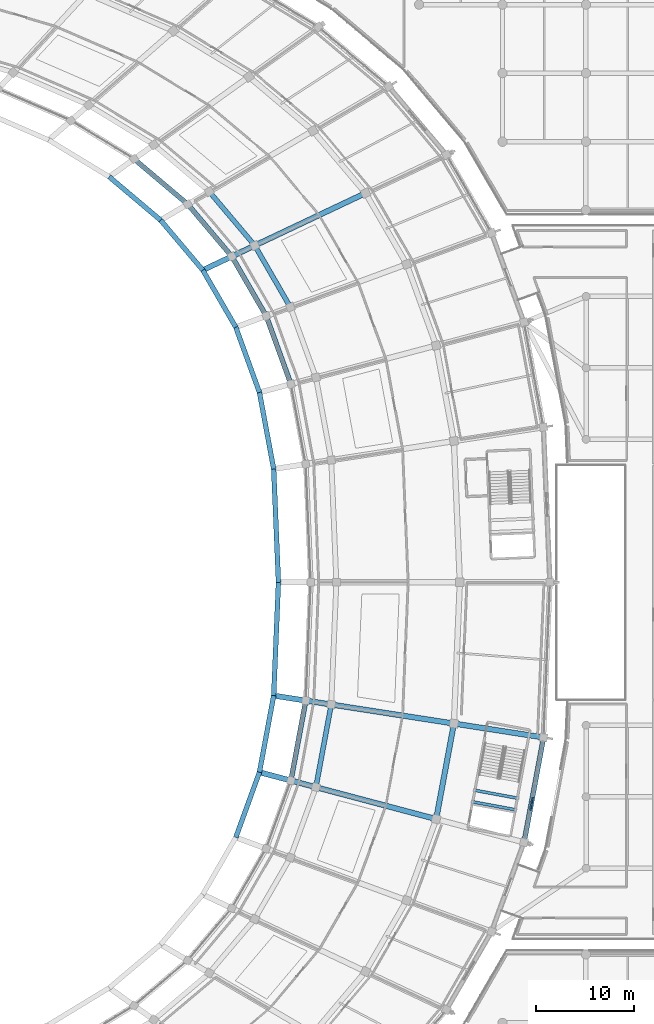
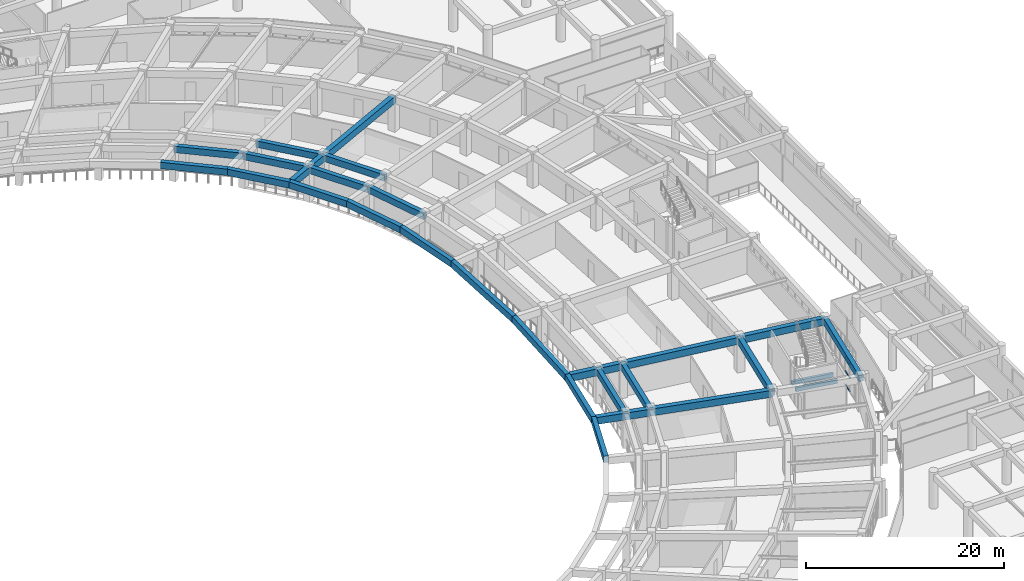
# One storey, part 47 of 145: 25 beams, 3 members, 1 element without a shape of its own.
"""IFC4 building model written with IfcOpenShell, lengths in metres."""

import ifcopenshell
import ifcopenshell.guid

model = None  # the IFC model being written
_history = None  # IfcOwnerHistory: only IFC2X3 demands one
_inside = {}  # id of a spatial element -> (the spatial element, [elements in it])
_under = {}  # id of a project, library or spatial element -> (it, [spatial elements below it])
_declared = {}  # id of a project -> (the project, [libraries it declares])
_typed = {}  # id of a type object -> (the type object, [elements of that type])
_made_of = {}  # id of a material, layer set ... -> (it, [elements and type objects made of it])


def new_model(schema):
    """Start an empty IFC model of exactly this schema.

    Asked for "IFC4X3", IfcOpenShell would pick the latest addendum, in which some entities
    have other attributes; the version numbers below select the first issue.
    IFC2X3 requires an IfcOwnerHistory on every rooted entity: one is made here for all.
    """
    global model, _history
    if schema == "IFC4X3":
        model = ifcopenshell.file(schema_version=(4, 3, 0, 0))
    else:
        model = ifcopenshell.file(schema=schema)
    _inside.clear()
    _under.clear()
    _declared.clear()
    _typed.clear()
    _made_of.clear()
    _history = None
    if model.schema == "IFC2X3":
        org = make("IfcOrganization", Name="unknown")
        user = make(
            "IfcPersonAndOrganization",
            ThePerson=make("IfcPerson", FamilyName="unknown"),
            TheOrganization=org,
        )
        app = make(
            "IfcApplication",
            ApplicationDeveloper=org,
            Version="unknown",
            ApplicationFullName="unknown",
            ApplicationIdentifier="unknown",
        )
        _history = make(
            "IfcOwnerHistory",
            OwningUser=user,
            OwningApplication=app,
            ChangeAction="ADDED",
            CreationDate=0,
        )
    return model


def make(cls, **values):
    """One entity of the class cls with the attributes given. An attribute that is None is left unset."""
    return model.create_entity(
        cls, **{name: value for name, value in values.items() if value is not None}
    )


def rooted(cls, **values):
    """An entity with a GlobalId (a new one), such as an element, a storey or a relation."""
    return make(cls, GlobalId=ifcopenshell.guid.new(), OwnerHistory=_history, **values)


def si_unit(unit_type, name, prefix=None):
    """IfcSIUnit, for example si_unit("LENGTHUNIT", "METRE", prefix="MILLI")."""
    return make("IfcSIUnit", UnitType=unit_type, Prefix=prefix, Name=name)


def assignment(units):
    """IfcUnitAssignment: the units of a project."""
    return None if units is None else make("IfcUnitAssignment", Units=units)


def point(xyz):
    """IfcCartesianPoint."""
    return None if xyz is None else make("IfcCartesianPoint", Coordinates=xyz)


def direction(xyz):
    """IfcDirection."""
    return None if xyz is None else make("IfcDirection", DirectionRatios=xyz)


def frame(location, z_axis=None, x_axis=None):
    """IfcAxis2Placement3D, a coordinate frame: its origin and axes. An axis left out is left unset."""
    return make(
        "IfcAxis2Placement3D",
        Location=point(location),
        Axis=direction(z_axis),
        RefDirection=direction(x_axis),
    )


def frame_2d(location, x_axis=None):
    """IfcAxis2Placement2D, a coordinate frame in the plane: its origin and x axis."""
    return make(
        "IfcAxis2Placement2D", Location=point(location), RefDirection=direction(x_axis)
    )


def origin():
    """The frame at (0, 0, 0) with its axes left unset."""
    return frame((0.0, 0.0, 0.0))


def origin_2d():
    """The frame at (0, 0) in the plane with its x axis left unset."""
    return frame_2d((0.0, 0.0))


def place(relative_to, where):
    """IfcLocalPlacement: puts the frame where relative to a parent placement (None: the world)."""
    return make(
        "IfcLocalPlacement", PlacementRelTo=relative_to, RelativePlacement=where
    )


def context(
    kind, dimensions, precision=None, world=None, true_north=None, identifier=None
):
    """IfcGeometricRepresentationContext, for example the 3D "Model" context."""
    return make(
        "IfcGeometricRepresentationContext",
        ContextIdentifier=identifier,
        ContextType=kind,
        CoordinateSpaceDimension=dimensions,
        Precision=precision,
        WorldCoordinateSystem=world,
        TrueNorth=true_north,
    )


def subcontext(parent, identifier, kind, view, scale=None):
    """IfcGeometricRepresentationSubContext, for example "Body" below "Model"."""
    return make(
        "IfcGeometricRepresentationSubContext",
        ContextIdentifier=identifier,
        ContextType=kind,
        ParentContext=parent,
        TargetScale=scale,
        TargetView=view,
    )


def project(units=None, contexts=None):
    """IfcProject with its units and contexts."""
    return rooted(
        "IfcProject",
        Name="project",
        RepresentationContexts=contexts,
        UnitsInContext=assignment(units),
    )


def spatial(cls, under=None, at=None, **own):
    """A site, building, storey or space (cls), placed at a placement, below another one or the project."""
    s = rooted(cls, ObjectPlacement=at, **own)
    if under is not None:
        _under.setdefault(under.id(), (under, []))[1].append(s)
    return s


def profile(cls, at=None, kind="AREA", **sizes):
    """A parametric profile (cls). Its sizes go by their IFC names, for example OverallWidth=200.0."""
    return make(cls, ProfileType=kind, Position=at, **sizes)


def rectangle(**sizes):
    """IfcRectangleProfileDef."""
    return profile("IfcRectangleProfileDef", **sizes)


def extrude(swept, where, along, depth):
    """IfcExtrudedAreaSolid: the profile swept, set in the frame where, extruded along a direction by depth."""
    return make(
        "IfcExtrudedAreaSolid",
        SweptArea=swept,
        Position=where,
        ExtrudedDirection=direction(along),
        Depth=depth,
    )


def shape(context_of_items, identifier, shape_type, items):
    """IfcShapeRepresentation: the items that make up one representation, for example the "Body"."""
    return make(
        "IfcShapeRepresentation",
        ContextOfItems=context_of_items,
        RepresentationIdentifier=identifier,
        RepresentationType=shape_type,
        Items=items,
    )


def material(Name=None, Category=None):
    """IfcMaterial."""
    return make("IfcMaterial", Name=Name, Category=Category)


def layer(
    of_material, thickness, ventilated=None, Name=None, Category=None, Priority=None
):
    """IfcMaterialLayer: one layer of a wall or slab, of a material (None: an air gap)."""
    return make(
        "IfcMaterialLayer",
        Material=of_material,
        LayerThickness=thickness,
        IsVentilated=ventilated,
        Name=Name,
        Category=Category,
        Priority=Priority,
    )


def layer_set(layers, Name=None):
    """IfcMaterialLayerSet."""
    return make("IfcMaterialLayerSet", MaterialLayers=layers, LayerSetName=Name)


def material_profile(
    of_material, cross_section, Name=None, Category=None, Priority=None
):
    """IfcMaterialProfile: a cross section and its material."""
    return make(
        "IfcMaterialProfile",
        Name=Name,
        Material=of_material,
        Profile=cross_section,
        Priority=Priority,
        Category=Category,
    )


def profile_set(profiles, Name=None, composite=None):
    """IfcMaterialProfileSet."""
    return make(
        "IfcMaterialProfileSet",
        Name=Name,
        MaterialProfiles=profiles,
        CompositeProfile=composite,
    )


def made_of(thing, what):
    """Note that an element or type object is made of a material, layer set ...; save() writes the relation."""
    if what is not None:
        _made_of.setdefault(what.id(), (what, []))[1].append(thing)
    return thing


def type_object(cls, material=None, **own):
    """A type object (cls), such as IfcWallType, which elements share."""
    return made_of(rooted(cls, **own), material)


def element(
    cls,
    number,
    at=None,
    inside=None,
    cuts=None,
    type_object=None,
    material=None,
    context=None,
    identifier="Body",
    shape_type=None,
    held_by="IfcProductDefinitionShape",
    body=None,
    shapes=None,
    **own,
):
    """One element of the class cls, such as IfcWall. Its Tag is "e" and its number.

    at: its placement. inside: the storey or other place that contains it. cuts: it is an
    opening in that element (IfcRelVoidsElement). A single representation is given by context,
    identifier, shape_type and body (its items); several are given by shapes. held_by: the class
    of the entity that holds the representations. save() writes the other relations.
    """
    e = rooted(cls, Tag="e%d" % number, ObjectPlacement=at, **own)
    if body is not None:
        shapes = [shape(context, identifier, shape_type, body)]
    if shapes is not None:
        e.Representation = make(held_by, Representations=shapes)
    if inside is not None:
        _inside.setdefault(inside.id(), (inside, []))[1].append(e)
    if cuts is not None:
        rooted(
            "IfcRelVoidsElement", RelatingBuildingElement=cuts, RelatedOpeningElement=e
        )
    if type_object is not None:
        _typed.setdefault(type_object.id(), (type_object, []))[1].append(e)
    return made_of(e, material)


def aggregate(whole, parts):
    """IfcRelAggregates: a whole, such as a stair, and the parts it consists of."""
    return rooted("IfcRelAggregates", RelatingObject=whole, RelatedObjects=parts)


def save(model, path):
    """Write the relations noted so far, then the file.

    IfcRelAggregates (storeys below a building ...), IfcRelContainedInSpatialStructure (elements
    in a storey), IfcRelDefinesByType, IfcRelAssociatesMaterial and IfcRelDeclares: one each for
    every whole, place, type object, material and project.
    """
    for whole, parts in _under.values():
        aggregate(whole, parts)
    for where, things in _inside.values():
        rooted(
            "IfcRelContainedInSpatialStructure",
            RelatedElements=things,
            RelatingStructure=where,
        )
    for kind, things in _typed.values():
        rooted("IfcRelDefinesByType", RelatedObjects=things, RelatingType=kind)
    for what, things in _made_of.values():
        rooted("IfcRelAssociatesMaterial", RelatedObjects=things, RelatingMaterial=what)
    for by, libraries in _declared.values():
        rooted("IfcRelDeclares", RelatingContext=by, RelatedDefinitions=libraries)
    model.write(path)


model = new_model("IFC4")

# Units and contexts
model_context = context("Model", 3, precision=1e-05, world=origin(), true_north=direction((0.0, 1.0)))
body_context = subcontext(model_context, "Body", "Model", "MODEL_VIEW")
ifc_project = project(units=[si_unit("LENGTHUNIT", "METRE"), si_unit("AREAUNIT", "SQUARE_METRE"), si_unit("VOLUMEUNIT", "CUBIC_METRE"), si_unit("PLANEANGLEUNIT", "RADIAN"), si_unit("MASSUNIT", "GRAM", prefix="KILO")], contexts=[model_context])

# Site, building, storey
site_placement = place(None, origin())
site = spatial("IfcSite", under=ifc_project, at=site_placement, CompositionType="ELEMENT")
building_placement = place(site_placement, origin())
building = spatial("IfcBuilding", under=site, at=building_placement, Name="Mphavela Belvedere Stadium", CompositionType="ELEMENT")
storey_placement = place(building_placement, frame((0.0, 0.0, 10.199951171875)))
storey = spatial("IfcBuildingStorey", under=building, at=storey_placement, Name="L02", CompositionType="ELEMENT", Elevation=10.199951171875)

# Beams
ifc_material_1 = material(Name="Concrete C40/50", Category="concrete")
ifc_material_profile_1 = material_profile(ifc_material_1, rectangle(XDim=0.300048828125, YDim=0.449951171875, at=origin_2d()), Name="RC 300x450")
ifc_profile_set_1 = profile_set([ifc_material_profile_1], Name="Concrete C40/50")
beam_type_1 = type_object("IfcBeamType", Name="BM-RC300x450", PredefinedType="BEAM", material=ifc_profile_set_1)
for number, where, z_axis, x_axis, name in (
    (1, (210.11376953125, 65.7646484375, 1.824951171875), (0.9831891563, -0.182589931088, 0.0), (0.182589931088, 0.9831891563, 0.0), "Core C12 landing trimmer beam L02-1"),
    (2, (209.894775390625, 64.584716796875, 1.824951171875), (0.983198960132, -0.182537132646, 0.0), (0.182537132646, 0.983198960132, 0.0), "Core C12 landing trimmer beam L02-2"),
):
    element("IfcBeam", number, at=place(storey_placement, frame(where, z_axis=z_axis, x_axis=x_axis)), inside=storey, type_object=beam_type_1, Name=name, PredefinedType="BEAM", context=body_context, shape_type="SweptSolid", body=[
        extrude(rectangle(XDim=0.300048828125, YDim=0.449951171875, at=origin_2d()), origin(), (0.0, 0.0, 1.0), 4.469970703125),
    ])
ifc_material_2 = material(Name="Concrete C40/50", Category="concrete")
ifc_material_profile_2 = material_profile(ifc_material_2, rectangle(XDim=0.5, YDim=0.800048828125, at=origin_2d()), Name="RC 500x800")
ifc_profile_set_2 = profile_set([ifc_material_profile_2], Name="Concrete C40/50")
beam_type_2 = type_object("IfcBeamType", Name="BM-RC500x800", PredefinedType="BEAM", material=ifc_profile_set_2)
beam_1_placement = place(storey_placement, frame((191.351806640625, 107.24755859375, 3.85009765625), z_axis=(-0.341037858277, 0.940049562109, 0.0), x_axis=(-0.940049562109, -0.341037858277, 0.0)))
element("IfcBeam", 3, at=beam_1_placement, inside=storey, type_object=beam_type_2, Name="Circumferential girder L02 R1-03", PredefinedType="BEAM", context=body_context, shape_type="SweptSolid", body=[
    extrude(rectangle(XDim=0.5, YDim=0.800048828125, at=origin_2d()), origin(), (0.0, 0.0, 1.0), 7.39501953125),
])
beam_2_placement = place(storey_placement, frame((188.829833984375, 114.19921875, 3.85009765625), z_axis=(-0.500559513075, 0.86570212768, 0.0), x_axis=(-0.86570212768, -0.500559513075, 0.0)))
element("IfcBeam", 4, at=beam_2_placement, inside=storey, type_object=beam_type_2, Name="Circumferential girder L02 R1-04", PredefinedType="BEAM", context=body_context, shape_type="SweptSolid", body=[
    extrude(rectangle(XDim=0.5, YDim=0.800048828125, at=origin_2d()), origin(), (0.0, 0.0, 1.0), 7.02587890625),
])
beam_3_placement = place(storey_placement, frame((191.297119140625, 115.108154296875, 3.85009765625), z_axis=(-0.500568314135, 0.86569703874, 0.0), x_axis=(-0.86569703874, -0.500568314135, 0.0)))
element("IfcBeam", 5, at=beam_3_placement, inside=storey, type_object=beam_type_2, Name="Circumferential girder L02 R2-04", PredefinedType="BEAM", context=body_context, shape_type="SweptSolid", body=[
    extrude(rectangle(XDim=0.5, YDim=0.800048828125, at=origin_2d()), origin(), (0.0, 0.0, 1.0), 7.2607421875),
])
beam_4_placement = place(storey_placement, frame((185.31298828125, 120.281494140625, 3.85009765625), z_axis=(-0.645159025586, 0.764048317651, 0.0), x_axis=(-0.764048317651, -0.645159025586, 0.0)))
element("IfcBeam", 6, at=beam_4_placement, inside=storey, type_object=beam_type_2, Name="Circumferential girder L02 R1-05", PredefinedType="BEAM", context=body_context, shape_type="SweptSolid", body=[
    extrude(rectangle(XDim=0.5, YDim=0.800048828125, at=origin_2d()), origin(), (0.0, 0.0, 1.0), 6.975830078125),
])
beam_5_placement = place(storey_placement, frame((187.66259765625, 121.393798828125, 3.85009765625), z_axis=(-0.645167637984, 0.764041045297, 0.0), x_axis=(-0.764041045297, -0.645167637984, 0.0)))
element("IfcBeam", 7, at=beam_5_placement, inside=storey, type_object=beam_type_2, Name="Circumferential girder L02 R2-05", PredefinedType="BEAM", context=body_context, shape_type="SweptSolid", body=[
    extrude(rectangle(XDim=0.5, YDim=0.800048828125, at=origin_2d()), origin(), (0.0, 0.0, 1.0), 7.208740234375),
])
beam_6_placement = place(storey_placement, frame((180.8125, 125.611328125, 3.85009765625), z_axis=(-0.76425683958, 0.644911996442, 0.0), x_axis=(-0.644911996442, -0.76425683958, 0.0)))
element("IfcBeam", 8, at=beam_6_placement, inside=storey, type_object=beam_type_2, Name="Circumferential girder L02 R1-06", PredefinedType="BEAM", context=body_context, shape_type="SweptSolid", body=[
    extrude(rectangle(XDim=0.5, YDim=0.800048828125, at=origin_2d()), origin(), (0.0, 0.0, 1.0), 7.1640625),
])
beam_7_placement = place(storey_placement, frame((191.351806640625, 66.75244140625, 3.85009765625), z_axis=(0.182638448973, 0.983180144712, 0.0), x_axis=(-0.983180144712, 0.182638448973, 0.0)))
element("IfcBeam", 9, at=beam_7_placement, inside=storey, type_object=beam_type_2, Name="Circumferential girder L02 R1-47", PredefinedType="BEAM", context=body_context, shape_type="SweptSolid", body=[
    extrude(rectangle(XDim=0.5, YDim=0.800048828125, at=origin_2d()), origin(), (0.0, 0.0, 1.0), 8.30908203125),
])
beam_8_placement = place(storey_placement, frame((193.9033203125, 66.07568359375, 3.85009765625), z_axis=(0.182614573179, 0.983184579651, 0.0), x_axis=(-0.983184579651, 0.182614573179, 0.0)))
element("IfcBeam", 10, at=beam_8_placement, inside=storey, type_object=beam_type_2, Name="Circumferential girder L02 R2-47", PredefinedType="BEAM", context=body_context, shape_type="SweptSolid", body=[
    extrude(rectangle(XDim=0.5, YDim=0.800048828125, at=origin_2d()), origin(), (0.0, 0.0, 1.0), 8.5869140625),
])
beam_9_placement = place(storey_placement, frame((190.077880859375, 87.0, 3.85009765625), z_axis=(-0.04189186986, 0.99912215031, 0.0), x_axis=(-0.99912215031, -0.04189186986, 0.0)))
element("IfcBeam", 11, at=beam_9_placement, inside=storey, type_object=beam_type_2, Name="Upper tier front sightline ring beam 01", PredefinedType="BEAM", context=body_context, shape_type="SweptSolid", body=[
    extrude(rectangle(XDim=0.5, YDim=0.800048828125, at=origin_2d()), origin(), (0.0, 0.0, 1.0), 11.580078125),
])
beam_10_placement = place(storey_placement, frame((189.5927734375, 98.56982421875, 3.85009765625), z_axis=(-0.18262523239, 0.983182599772, 0.0), x_axis=(-0.983182599772, -0.18262523239, 0.0)))
element("IfcBeam", 12, at=beam_10_placement, inside=storey, type_object=beam_type_2, Name="Upper tier front sightline ring beam 02", PredefinedType="BEAM", context=body_context, shape_type="SweptSolid", body=[
    extrude(rectangle(XDim=0.5, YDim=0.800048828125, at=origin_2d()), origin(), (0.0, 0.0, 1.0), 7.95947265625),
])
beam_11_placement = place(storey_placement, frame((188.13916015625, 106.3955078125, 3.85009765625), z_axis=(-0.341056708776, 0.940042723178, 0.0), x_axis=(-0.940042723178, -0.341056708776, 0.0)))
element("IfcBeam", 13, at=beam_11_placement, inside=storey, type_object=beam_type_2, Name="Upper tier front sightline ring beam 03", PredefinedType="BEAM", context=body_context, shape_type="SweptSolid", body=[
    extrude(rectangle(XDim=0.5, YDim=0.800048828125, at=origin_2d()), origin(), (0.0, 0.0, 1.0), 7.083984375),
])
beam_12_placement = place(storey_placement, frame((185.72314453125, 113.0546875, 3.85009765625), z_axis=(-0.500531411911, 0.865718375507, 0.0), x_axis=(-0.865718375507, -0.500531411911, 0.0)))
element("IfcBeam", 14, at=beam_12_placement, inside=storey, type_object=beam_type_2, Name="Upper tier front sightline ring beam 04", PredefinedType="BEAM", context=body_context, shape_type="SweptSolid", body=[
    extrude(rectangle(XDim=0.5, YDim=0.800048828125, at=origin_2d()), origin(), (0.0, 0.0, 1.0), 6.730224609375),
])
beam_13_placement = place(storey_placement, frame((182.3544921875, 118.881103515625, 3.85009765625), z_axis=(-0.645180343886, 0.764030316063, 0.0), x_axis=(-0.764030316063, -0.645180343886, 0.0)))
element("IfcBeam", 15, at=beam_13_placement, inside=storey, type_object=beam_type_2, Name="Upper tier front sightline ring beam 05", PredefinedType="BEAM", context=body_context, shape_type="SweptSolid", body=[
    extrude(rectangle(XDim=0.5, YDim=0.800048828125, at=origin_2d()), origin(), (0.0, 0.0, 1.0), 6.682373046875),
])
beam_14_placement = place(storey_placement, frame((178.043212890625, 123.986572265625, 3.85009765625), z_axis=(-0.764246549785, 0.644924190229, 0.0), x_axis=(-0.644924190229, -0.764246549785, 0.0)))
element("IfcBeam", 16, at=beam_14_placement, inside=storey, type_object=beam_type_2, Name="Upper tier front sightline ring beam 06", PredefinedType="BEAM", context=body_context, shape_type="SweptSolid", body=[
    extrude(rectangle(XDim=0.5, YDim=0.800048828125, at=origin_2d()), origin(), (0.0, 0.0, 1.0), 6.862548828125),
])
beam_15_placement = place(storey_placement, frame((185.72314453125, 60.9453125, 3.85009765625), z_axis=(0.341056708776, 0.940042723178, 0.0), x_axis=(-0.940042723178, 0.341056708776, 0.0)))
element("IfcBeam", 17, at=beam_15_placement, inside=storey, type_object=beam_type_2, Name="Upper tier front sightline ring beam 46", PredefinedType="BEAM", context=body_context, shape_type="SweptSolid", body=[
    extrude(rectangle(XDim=0.5, YDim=0.800048828125, at=origin_2d()), origin(), (0.0, 0.0, 1.0), 7.083984375),
])
beam_16_placement = place(storey_placement, frame((188.13916015625, 67.6044921875, 3.85009765625), z_axis=(0.18262523239, 0.983182599772, 0.0), x_axis=(-0.983182599772, 0.18262523239, 0.0)))
element("IfcBeam", 18, at=beam_16_placement, inside=storey, type_object=beam_type_2, Name="Upper tier front sightline ring beam 47", PredefinedType="BEAM", context=body_context, shape_type="SweptSolid", body=[
    extrude(rectangle(XDim=0.5, YDim=0.800048828125, at=origin_2d()), origin(), (0.0, 0.0, 1.0), 7.95947265625),
])
beam_17_placement = place(storey_placement, frame((189.5927734375, 75.43017578125, 3.85009765625), z_axis=(0.04189186986, 0.99912215031, 0.0), x_axis=(-0.99912215031, 0.04189186986, 0.0)))
element("IfcBeam", 19, at=beam_17_placement, inside=storey, type_object=beam_type_2, Name="Upper tier front sightline ring beam 48", PredefinedType="BEAM", context=body_context, shape_type="SweptSolid", body=[
    extrude(rectangle(XDim=0.5, YDim=0.800048828125, at=origin_2d()), origin(), (0.0, 0.0, 1.0), 11.580078125),
])
ifc_material_3 = material(Name="Concrete C40/50", Category="concrete")
ifc_material_profile_3 = material_profile(ifc_material_3, rectangle(XDim=0.550048828125, YDim=0.85009765625, at=origin_2d()), Name="RC 550x850")
ifc_profile_set_3 = profile_set([ifc_material_profile_3], Name="Concrete C40/50")
beam_type_3 = type_object("IfcBeamType", Name="BM-RC550x850", PredefinedType="BEAM", material=ifc_profile_set_3)
beam_18_placement = place(storey_placement, frame((206.1875, 62.818115234375, 3.824951171875), z_axis=(0.182638056683, 0.983180217585, 0.0), x_axis=(-0.983180217585, 0.182638056683, 0.0)))
element("IfcBeam", 20, at=beam_18_placement, inside=storey, type_object=beam_type_3, Name="Circumferential girder L02 R3-47", PredefinedType="BEAM", context=body_context, shape_type="SweptSolid", body=[
    extrude(rectangle(XDim=0.550048828125, YDim=0.85009765625, at=origin_2d()), origin(), (0.0, 0.0, 1.0), 9.924072265625),
])
beam_19_placement = place(storey_placement, frame((208.0, 72.5751953125, 3.824951171875), z_axis=(0.988182369303, -0.153282761586, 0.0), x_axis=(0.153282761586, 0.988182369303, 0.0)))
element("IfcBeam", 21, at=beam_19_placement, inside=storey, type_object=beam_type_3, Name="Radial concourse girder L02 R3R4-48", PredefinedType="BEAM", context=body_context, shape_type="SweptSolid", body=[
    extrude(rectangle(XDim=0.550048828125, YDim=0.85009765625, at=origin_2d()), origin(), (0.0, 0.0, 1.0), 9.264892578125),
])
beam_20_placement = place(storey_placement, frame((182.3544921875, 118.881103515625, 3.824951171875), z_axis=(0.903863235866, 0.427821517517, 0.0), x_axis=(-0.427821517517, 0.903863235866, 0.0)))
element("IfcBeam", 22, at=beam_20_placement, inside=storey, type_object=beam_type_3, Name="Upper tier box-front outrigger girder 05", PredefinedType="BEAM", context=body_context, shape_type="SweptSolid", body=[
    extrude(rectangle(XDim=0.550048828125, YDim=0.85009765625, at=origin_2d()), origin(), (0.0, 0.0, 1.0), 18.388916015625),
])
beam_21_placement = place(storey_placement, frame((188.13916015625, 67.6044921875, 3.824951171875), z_axis=(0.96658754532, -0.256336726267, 0.0), x_axis=(0.256336726267, 0.96658754532, 0.0)))
element("IfcBeam", 23, at=beam_21_placement, inside=storey, type_object=beam_type_3, Name="Upper tier box-front outrigger girder 47", PredefinedType="BEAM", context=body_context, shape_type="SweptSolid", body=[
    extrude(rectangle(XDim=0.550048828125, YDim=0.85009765625, at=origin_2d()), origin(), (0.0, 0.0, 1.0), 18.672119140625),
])
beam_22_placement = place(storey_placement, frame((189.5927734375, 75.43017578125, 3.824951171875), z_axis=(0.98818458407, -0.153268482759, 0.0), x_axis=(0.153268482759, 0.98818458407, 0.0)))
element("IfcBeam", 24, at=beam_22_placement, inside=storey, type_object=beam_type_3, Name="Upper tier box-front outrigger girder 48", PredefinedType="BEAM", context=body_context, shape_type="SweptSolid", body=[
    extrude(rectangle(XDim=0.550048828125, YDim=0.85009765625, at=origin_2d()), origin(), (0.0, 0.0, 1.0), 18.627197265625),
])
ifc_material_4 = material(Name="Concrete C40/50", Category="concrete")
ifc_material_profile_4 = material_profile(ifc_material_4, rectangle(XDim=0.5, YDim=0.800048828125, at=origin_2d()), Name="RC 500x800")
ifc_profile_set_4 = profile_set([ifc_material_profile_4], Name="Concrete C40/50")
beam_type_4 = type_object("IfcBeamType", Name="BM-SPANDREL-800", PredefinedType="SPANDREL", material=ifc_profile_set_4)
beam_23_placement = place(storey_placement, frame((215.16455078125, 60.4375, 3.85009765625), z_axis=(0.18264260648, 0.983179372393, 0.0), x_axis=(-0.983179372393, 0.18264260648, 0.0)))
element("IfcBeam", 25, at=beam_23_placement, inside=storey, type_object=beam_type_4, Name="Circumferential girder L02 R4-47", PredefinedType="SPANDREL", context=body_context, shape_type="SweptSolid", body=[
    extrude(rectangle(XDim=0.5, YDim=0.800048828125, at=origin_2d()), origin(), (0.0, 0.0, 1.0), 10.90087890625),
])

# Curtain wall, members
ifc_material_5 = material(Name="Anodised bronze unitised curtain wall framing")
ifc_layer = layer(ifc_material_5, 0.199951171875)
ifc_layer_set = layer_set([ifc_layer], Name="Anodised bronze unitised curtain wall framing")
curtain_wall_type = type_object("IfcCurtainWallType", Name="CW-UNIT-05", PredefinedType="USERDEFINED", material=ifc_layer_set)
curtain_wall_placement = place(storey_placement, origin())
curtain_wall = element("IfcCurtainWall", 26, at=curtain_wall_placement, inside=storey, type_object=curtain_wall_type, Name="Belvedere colonnade curtain wall L02-47", ObjectType="UNITISED CURTAIN WALL", PredefinedType="USERDEFINED")
ifc_material_6 = material(Name="Anodised bronze extruded aluminium", Category="aluminium")
ifc_material_profile_5 = material_profile(ifc_material_6, rectangle(XDim=0.139892578125, YDim=0.06005859375, at=origin_2d()), Name="CW-TRN 140x60")
ifc_profile_set_5 = profile_set([ifc_material_profile_5], Name="Anodised bronze extruded aluminium")
member_type = type_object("IfcMemberType", Name="CWT-140x60", PredefinedType="USERDEFINED", material=ifc_profile_set_5)
member_1_placement = place(storey_placement, frame((215.7705078125, 63.69921875, 0.030029296875), z_axis=(0.182577520933, 0.983191460932, 0.0), x_axis=(-0.983191460932, 0.182577520933, 0.0)))
member_1 = element("IfcMember", 27, at=member_1_placement, type_object=member_type, Name="CW-05 transom 3.1", ObjectType="TRANSOM", PredefinedType="USERDEFINED", context=body_context, shape_type="SweptSolid", body=[
    extrude(rectangle(XDim=0.139892578125, YDim=0.06005859375, at=origin_2d()), origin(), (0.0, 0.0, 1.0), 1.378662109375),
])
member_2_placement = place(storey_placement, frame((215.7705078125, 63.69921875, 1.7099609375), z_axis=(0.182577520933, 0.983191460932, 0.0), x_axis=(-0.983191460932, 0.182577520933, 0.0)))
member_2 = element("IfcMember", 28, at=member_2_placement, type_object=member_type, Name="CW-05 transom 3.2", ObjectType="TRANSOM", PredefinedType="USERDEFINED", context=body_context, shape_type="SweptSolid", body=[
    extrude(rectangle(XDim=0.139892578125, YDim=0.06005859375, at=origin_2d()), origin(), (0.0, 0.0, 1.0), 1.378662109375),
])
member_3_placement = place(storey_placement, frame((215.7705078125, 63.69921875, 3.39013671875), z_axis=(0.182577520933, 0.983191460932, 0.0), x_axis=(-0.983191460932, 0.182577520933, 0.0)))
member_3 = element("IfcMember", 29, at=member_3_placement, type_object=member_type, Name="CW-05 transom 3.3", ObjectType="TRANSOM", PredefinedType="USERDEFINED", context=body_context, shape_type="SweptSolid", body=[
    extrude(rectangle(XDim=0.139892578125, YDim=0.06005859375, at=origin_2d()), origin(), (0.0, 0.0, 1.0), 1.378662109375),
])
aggregate(curtain_wall, [member_1, member_2, member_3])

save(model, "model.ifc")
